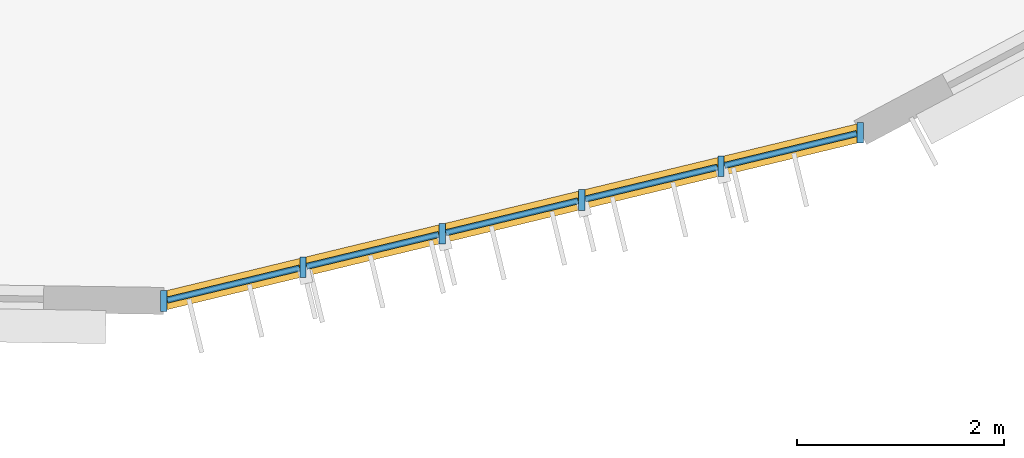
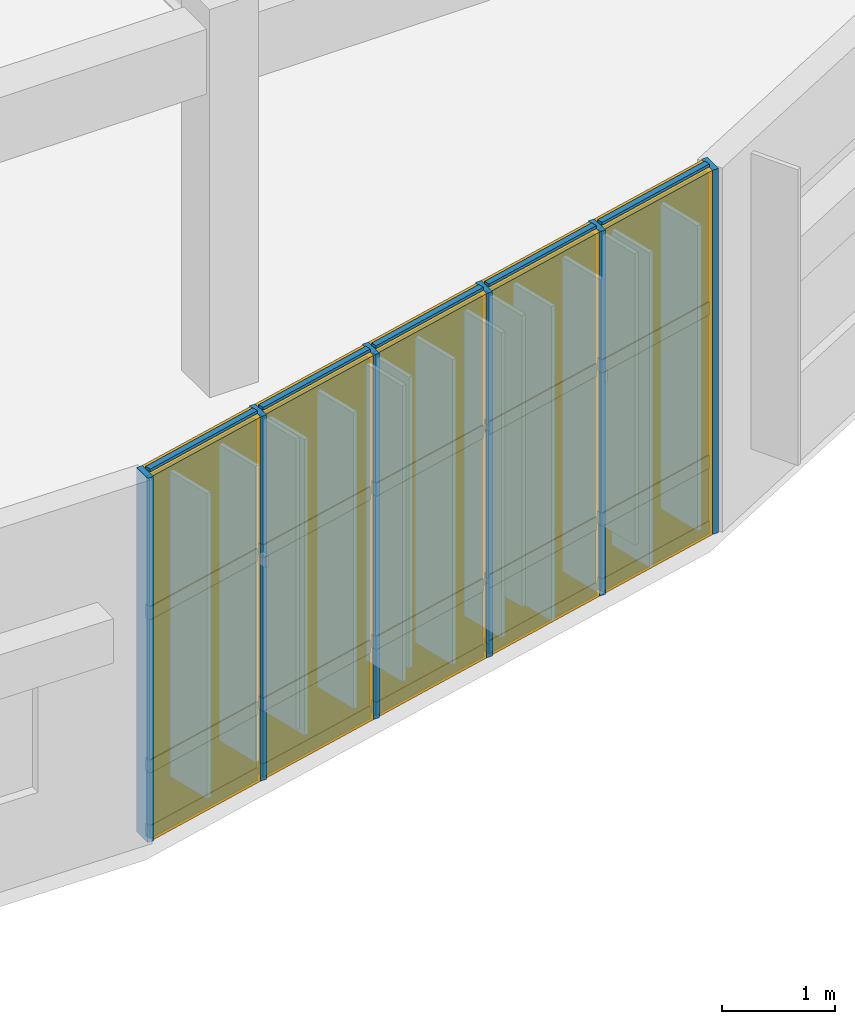
# One storey, part 98 of 122: 26 members, 15 plates, 1 curtain wall.
"""IFC4 building model written with IfcOpenShell, lengths in metres."""

from ifc_helpers import new_model, si_unit, direction, frame, frame_2d, origin, origin_2d, place, context, subcontext, project, spatial, rectangle, extrude, material, layer, layer_set, material_profile, profile_set, type_object, element, aggregate, save


model = new_model("IFC4")

# Units and contexts
model_context = context("Model", 3, precision=1e-05, world=origin(), true_north=direction((0.0, 1.0)))
body_context = subcontext(model_context, "Body", "Model", "MODEL_VIEW")
ifc_project = project(units=[si_unit("LENGTHUNIT", "METRE"), si_unit("AREAUNIT", "SQUARE_METRE"), si_unit("VOLUMEUNIT", "CUBIC_METRE"), si_unit("PLANEANGLEUNIT", "RADIAN"), si_unit("MASSUNIT", "GRAM", prefix="KILO")], contexts=[model_context])

# Member
ifc_material_1 = material(Name="Anodised Bronze Aluminium 6063-T6", Category="aluminium")
ifc_material_profile_1 = material_profile(ifc_material_1, rectangle(XDim=0.06005859375, YDim=0.199951171875, at=origin_2d()), Name="ALU MULLION 60x200")
ifc_profile_set_1 = profile_set([ifc_material_profile_1], Name="Anodised Bronze Aluminium 6063-T6")
member_type_1 = type_object("IfcMemberType", Name="Curtain-Wall Standard Mullion 60x200", PredefinedType="MULLION", material=ifc_profile_set_1)
site_placement = place(None, origin())
building_placement = place(site_placement, origin())
storey_placement = place(building_placement, frame((0.0, 0.0, 4.800048828125)))
member_1_placement = place(storey_placement, frame((138.068603515625, 17.171142578125, 0.0), z_axis=(0.0, 0.0, 1.0), x_axis=(1.0, 0.0, 0.0)))
member_1 = element("IfcMember", 1, at=member_1_placement, type_object=member_type_1, Name="Mullion CWM-03 CW-V4-DRUM-L01-S03-M01", PredefinedType="MULLION", context=body_context, shape_type="SweptSolid", body=[
    extrude(rectangle(XDim=0.06005859375, YDim=0.199951171875, at=origin_2d()), origin(), (0.0, 0.0, 1.0), 3.93994140625),
])

member_2_placement = place(storey_placement, frame((139.412109375, 17.49560546875, 0.0), z_axis=(0.0, 0.0, 1.0), x_axis=(1.0, 0.0, 0.0)))
member_2 = element("IfcMember", 2, at=member_2_placement, type_object=member_type_1, Name="Mullion CWM-03 CW-V4-DRUM-L01-S03-M02", PredefinedType="MULLION", context=body_context, shape_type="SweptSolid", body=[
    extrude(rectangle(XDim=0.06005859375, YDim=0.199951171875, at=origin_2d()), origin(), (0.0, 0.0, 1.0), 3.93994140625),
])

member_3_placement = place(storey_placement, frame((140.75537109375, 17.81982421875, 0.0), z_axis=(0.0, 0.0, 1.0), x_axis=(1.0, 0.0, 0.0)))
member_3 = element("IfcMember", 3, at=member_3_placement, type_object=member_type_1, Name="Mullion CWM-03 CW-V4-DRUM-L01-S03-M03", PredefinedType="MULLION", context=body_context, shape_type="SweptSolid", body=[
    extrude(rectangle(XDim=0.06005859375, YDim=0.199951171875, at=origin_2d()), origin(), (0.0, 0.0, 1.0), 3.93994140625),
])

member_4_placement = place(storey_placement, frame((142.098876953125, 18.144287109375, 0.0), z_axis=(0.0, 0.0, 1.0), x_axis=(1.0, 0.0, 0.0)))
member_4 = element("IfcMember", 4, at=member_4_placement, type_object=member_type_1, Name="Mullion CWM-03 CW-V4-DRUM-L01-S03-M04", PredefinedType="MULLION", context=body_context, shape_type="SweptSolid", body=[
    extrude(rectangle(XDim=0.06005859375, YDim=0.199951171875, at=origin_2d()), origin(), (0.0, 0.0, 1.0), 3.93994140625),
])

member_5_placement = place(storey_placement, frame((143.4423828125, 18.46875, 0.0), z_axis=(0.0, 0.0, 1.0), x_axis=(1.0, 0.0, 0.0)))
member_5 = element("IfcMember", 5, at=member_5_placement, type_object=member_type_1, Name="Mullion CWM-03 CW-V4-DRUM-L01-S03-M05", PredefinedType="MULLION", context=body_context, shape_type="SweptSolid", body=[
    extrude(rectangle(XDim=0.06005859375, YDim=0.199951171875, at=origin_2d()), origin(), (0.0, 0.0, 1.0), 3.93994140625),
])

member_6_placement = place(storey_placement, frame((144.785888671875, 18.793212890625, 0.0), z_axis=(0.0, 0.0, 1.0), x_axis=(1.0, 0.0, 0.0)))
member_6 = element("IfcMember", 6, at=member_6_placement, type_object=member_type_1, Name="Mullion CWM-03 CW-V4-DRUM-L01-S03-M06", PredefinedType="MULLION", context=body_context, shape_type="SweptSolid", body=[
    extrude(rectangle(XDim=0.06005859375, YDim=0.199951171875, at=origin_2d()), origin(), (0.0, 0.0, 1.0), 3.93994140625),
])

ifc_material_profile_2 = material_profile(ifc_material_1, rectangle(XDim=0.06005859375, YDim=0.139892578125, at=origin_2d()), Name="ALU TRANSOM 60x140")
ifc_profile_set_2 = profile_set([ifc_material_profile_2], Name="Anodised Bronze Aluminium 6063-T6")
member_type_2 = type_object("IfcMemberType", Name="Curtain-Wall Transom 60x140", PredefinedType="USERDEFINED", material=ifc_profile_set_2)
member_7_placement = place(storey_placement, frame((138.1025390625, 17.17919921875, 0.0400390625), z_axis=(0.97203828701, 0.234822419259, 0.0), x_axis=(-0.234822419259, 0.97203828701, 0.0)))
member_7 = element("IfcMember", 7, at=member_7_placement, type_object=member_type_2, Name="Transom CWT-01 CW-V4-DRUM-L01-S03-T01.1", ObjectType="TRANSOM", PredefinedType="USERDEFINED", context=body_context, shape_type="SweptSolid", body=[
    extrude(rectangle(XDim=0.06005859375, YDim=0.139892578125, at=origin_2d()), origin(), (0.0, 0.0, 1.0), 1.31201171875),
])

member_8_placement = place(storey_placement, frame((138.1025390625, 17.17919921875, 0.75), z_axis=(0.97203828701, 0.234822419259, 0.0), x_axis=(-0.234822419259, 0.97203828701, 0.0)))
member_8 = element("IfcMember", 8, at=member_8_placement, type_object=member_type_2, Name="Transom CWT-01 CW-V4-DRUM-L01-S03-T01.2", ObjectType="TRANSOM", PredefinedType="USERDEFINED", context=body_context, shape_type="SweptSolid", body=[
    extrude(rectangle(XDim=0.06005859375, YDim=0.139892578125, at=origin_2d()), origin(), (0.0, 0.0, 1.0), 1.31201171875),
])

member_9_placement = place(storey_placement, frame((138.1025390625, 17.17919921875, 2.40869140625), z_axis=(0.97203828701, 0.234822419259, 0.0), x_axis=(-0.234822419259, 0.97203828701, 0.0)))
member_9 = element("IfcMember", 9, at=member_9_placement, type_object=member_type_2, Name="Transom CWT-01 CW-V4-DRUM-L01-S03-T01.3", ObjectType="TRANSOM", PredefinedType="USERDEFINED", context=body_context, shape_type="SweptSolid", body=[
    extrude(rectangle(XDim=0.06005859375, YDim=0.139892578125, at=origin_2d()), origin(), (0.0, 0.0, 1.0), 1.31201171875),
])

member_10_placement = place(storey_placement, frame((138.1025390625, 17.17919921875, 3.89990234375), z_axis=(0.97203828701, 0.234822419259, 0.0), x_axis=(-0.234822419259, 0.97203828701, 0.0)))
member_10 = element("IfcMember", 10, at=member_10_placement, type_object=member_type_2, Name="Transom CWT-01 CW-V4-DRUM-L01-S03-T01.4", ObjectType="TRANSOM", PredefinedType="USERDEFINED", context=body_context, shape_type="SweptSolid", body=[
    extrude(rectangle(XDim=0.06005859375, YDim=0.139892578125, at=origin_2d()), origin(), (0.0, 0.0, 1.0), 1.31201171875),
])

member_11_placement = place(storey_placement, frame((139.446044921875, 17.503662109375, 0.0400390625), z_axis=(0.97203828701, 0.234822419259, 0.0), x_axis=(-0.234822419259, 0.97203828701, 0.0)))
member_11 = element("IfcMember", 11, at=member_11_placement, type_object=member_type_2, Name="Transom CWT-01 CW-V4-DRUM-L01-S03-T02.1", ObjectType="TRANSOM", PredefinedType="USERDEFINED", context=body_context, shape_type="SweptSolid", body=[
    extrude(rectangle(XDim=0.06005859375, YDim=0.139892578125, at=origin_2d()), origin(), (0.0, 0.0, 1.0), 1.31201171875),
])

member_12_placement = place(storey_placement, frame((139.446044921875, 17.503662109375, 0.75), z_axis=(0.97203828701, 0.234822419259, 0.0), x_axis=(-0.234822419259, 0.97203828701, 0.0)))
member_12 = element("IfcMember", 12, at=member_12_placement, type_object=member_type_2, Name="Transom CWT-01 CW-V4-DRUM-L01-S03-T02.2", ObjectType="TRANSOM", PredefinedType="USERDEFINED", context=body_context, shape_type="SweptSolid", body=[
    extrude(rectangle(XDim=0.06005859375, YDim=0.139892578125, at=origin_2d()), origin(), (0.0, 0.0, 1.0), 1.31201171875),
])

member_13_placement = place(storey_placement, frame((139.446044921875, 17.503662109375, 2.40869140625), z_axis=(0.97203828701, 0.234822419259, 0.0), x_axis=(-0.234822419259, 0.97203828701, 0.0)))
member_13 = element("IfcMember", 13, at=member_13_placement, type_object=member_type_2, Name="Transom CWT-01 CW-V4-DRUM-L01-S03-T02.3", ObjectType="TRANSOM", PredefinedType="USERDEFINED", context=body_context, shape_type="SweptSolid", body=[
    extrude(rectangle(XDim=0.06005859375, YDim=0.139892578125, at=origin_2d()), origin(), (0.0, 0.0, 1.0), 1.31201171875),
])

member_14_placement = place(storey_placement, frame((139.446044921875, 17.503662109375, 3.89990234375), z_axis=(0.97203828701, 0.234822419259, 0.0), x_axis=(-0.234822419259, 0.97203828701, 0.0)))
member_14 = element("IfcMember", 14, at=member_14_placement, type_object=member_type_2, Name="Transom CWT-01 CW-V4-DRUM-L01-S03-T02.4", ObjectType="TRANSOM", PredefinedType="USERDEFINED", context=body_context, shape_type="SweptSolid", body=[
    extrude(rectangle(XDim=0.06005859375, YDim=0.139892578125, at=origin_2d()), origin(), (0.0, 0.0, 1.0), 1.31201171875),
])

member_15_placement = place(storey_placement, frame((140.789306640625, 17.828125, 0.0400390625), z_axis=(0.972090987597, 0.234604159878, 0.0), x_axis=(-0.234604159878, 0.972090987597, 0.0)))
member_15 = element("IfcMember", 15, at=member_15_placement, type_object=member_type_2, Name="Transom CWT-01 CW-V4-DRUM-L01-S03-T03.1", ObjectType="TRANSOM", PredefinedType="USERDEFINED", context=body_context, shape_type="SweptSolid", body=[
    extrude(rectangle(XDim=0.06005859375, YDim=0.139892578125, at=origin_2d()), origin(), (0.0, 0.0, 1.0), 1.312255859375),
])

member_16_placement = place(storey_placement, frame((140.789306640625, 17.828125, 0.75), z_axis=(0.972090987597, 0.234604159878, 0.0), x_axis=(-0.234604159878, 0.972090987597, 0.0)))
member_16 = element("IfcMember", 16, at=member_16_placement, type_object=member_type_2, Name="Transom CWT-01 CW-V4-DRUM-L01-S03-T03.2", ObjectType="TRANSOM", PredefinedType="USERDEFINED", context=body_context, shape_type="SweptSolid", body=[
    extrude(rectangle(XDim=0.06005859375, YDim=0.139892578125, at=origin_2d()), origin(), (0.0, 0.0, 1.0), 1.312255859375),
])

member_17_placement = place(storey_placement, frame((140.789306640625, 17.828125, 2.40869140625), z_axis=(0.972090987597, 0.234604159878, 0.0), x_axis=(-0.234604159878, 0.972090987597, 0.0)))
member_17 = element("IfcMember", 17, at=member_17_placement, type_object=member_type_2, Name="Transom CWT-01 CW-V4-DRUM-L01-S03-T03.3", ObjectType="TRANSOM", PredefinedType="USERDEFINED", context=body_context, shape_type="SweptSolid", body=[
    extrude(rectangle(XDim=0.06005859375, YDim=0.139892578125, at=origin_2d()), origin(), (0.0, 0.0, 1.0), 1.312255859375),
])

member_18_placement = place(storey_placement, frame((140.789306640625, 17.828125, 3.89990234375), z_axis=(0.972090987597, 0.234604159878, 0.0), x_axis=(-0.234604159878, 0.972090987597, 0.0)))
member_18 = element("IfcMember", 18, at=member_18_placement, type_object=member_type_2, Name="Transom CWT-01 CW-V4-DRUM-L01-S03-T03.4", ObjectType="TRANSOM", PredefinedType="USERDEFINED", context=body_context, shape_type="SweptSolid", body=[
    extrude(rectangle(XDim=0.06005859375, YDim=0.139892578125, at=origin_2d()), origin(), (0.0, 0.0, 1.0), 1.312255859375),
])

member_19_placement = place(storey_placement, frame((142.1328125, 18.152587890625, 0.0400390625), z_axis=(0.972080745006, 0.234646596373, 0.0), x_axis=(-0.234646596373, 0.972080745006, 0.0)))
member_19 = element("IfcMember", 19, at=member_19_placement, type_object=member_type_2, Name="Transom CWT-01 CW-V4-DRUM-L01-S03-T04.1", ObjectType="TRANSOM", PredefinedType="USERDEFINED", context=body_context, shape_type="SweptSolid", body=[
    extrude(rectangle(XDim=0.06005859375, YDim=0.139892578125, at=origin_2d()), origin(), (0.0, 0.0, 1.0), 1.31201171875),
])

member_20_placement = place(storey_placement, frame((142.1328125, 18.152587890625, 0.75), z_axis=(0.972080745006, 0.234646596373, 0.0), x_axis=(-0.234646596373, 0.972080745006, 0.0)))
member_20 = element("IfcMember", 20, at=member_20_placement, type_object=member_type_2, Name="Transom CWT-01 CW-V4-DRUM-L01-S03-T04.2", ObjectType="TRANSOM", PredefinedType="USERDEFINED", context=body_context, shape_type="SweptSolid", body=[
    extrude(rectangle(XDim=0.06005859375, YDim=0.139892578125, at=origin_2d()), origin(), (0.0, 0.0, 1.0), 1.31201171875),
])

member_21_placement = place(storey_placement, frame((142.1328125, 18.152587890625, 2.40869140625), z_axis=(0.972080745006, 0.234646596373, 0.0), x_axis=(-0.234646596373, 0.972080745006, 0.0)))
member_21 = element("IfcMember", 21, at=member_21_placement, type_object=member_type_2, Name="Transom CWT-01 CW-V4-DRUM-L01-S03-T04.3", ObjectType="TRANSOM", PredefinedType="USERDEFINED", context=body_context, shape_type="SweptSolid", body=[
    extrude(rectangle(XDim=0.06005859375, YDim=0.139892578125, at=origin_2d()), origin(), (0.0, 0.0, 1.0), 1.31201171875),
])

member_22_placement = place(storey_placement, frame((142.1328125, 18.152587890625, 3.89990234375), z_axis=(0.972080745006, 0.234646596373, 0.0), x_axis=(-0.234646596373, 0.972080745006, 0.0)))
member_22 = element("IfcMember", 22, at=member_22_placement, type_object=member_type_2, Name="Transom CWT-01 CW-V4-DRUM-L01-S03-T04.4", ObjectType="TRANSOM", PredefinedType="USERDEFINED", context=body_context, shape_type="SweptSolid", body=[
    extrude(rectangle(XDim=0.06005859375, YDim=0.139892578125, at=origin_2d()), origin(), (0.0, 0.0, 1.0), 1.31201171875),
])

member_23_placement = place(storey_placement, frame((143.476318359375, 18.476806640625, 0.0400390625), z_axis=(0.97203828701, 0.234822419259, 0.0), x_axis=(-0.234822419259, 0.97203828701, 0.0)))
member_23 = element("IfcMember", 23, at=member_23_placement, type_object=member_type_2, Name="Transom CWT-01 CW-V4-DRUM-L01-S03-T05.1", ObjectType="TRANSOM", PredefinedType="USERDEFINED", context=body_context, shape_type="SweptSolid", body=[
    extrude(rectangle(XDim=0.06005859375, YDim=0.139892578125, at=origin_2d()), origin(), (0.0, 0.0, 1.0), 1.31201171875),
])

member_24_placement = place(storey_placement, frame((143.476318359375, 18.476806640625, 0.75), z_axis=(0.97203828701, 0.234822419259, 0.0), x_axis=(-0.234822419259, 0.97203828701, 0.0)))
member_24 = element("IfcMember", 24, at=member_24_placement, type_object=member_type_2, Name="Transom CWT-01 CW-V4-DRUM-L01-S03-T05.2", ObjectType="TRANSOM", PredefinedType="USERDEFINED", context=body_context, shape_type="SweptSolid", body=[
    extrude(rectangle(XDim=0.06005859375, YDim=0.139892578125, at=origin_2d()), origin(), (0.0, 0.0, 1.0), 1.31201171875),
])

member_25_placement = place(storey_placement, frame((143.476318359375, 18.476806640625, 2.40869140625), z_axis=(0.97203828701, 0.234822419259, 0.0), x_axis=(-0.234822419259, 0.97203828701, 0.0)))
member_25 = element("IfcMember", 25, at=member_25_placement, type_object=member_type_2, Name="Transom CWT-01 CW-V4-DRUM-L01-S03-T05.3", ObjectType="TRANSOM", PredefinedType="USERDEFINED", context=body_context, shape_type="SweptSolid", body=[
    extrude(rectangle(XDim=0.06005859375, YDim=0.139892578125, at=origin_2d()), origin(), (0.0, 0.0, 1.0), 1.31201171875),
])

member_26_placement = place(storey_placement, frame((143.476318359375, 18.476806640625, 3.89990234375), z_axis=(0.97203828701, 0.234822419259, 0.0), x_axis=(-0.234822419259, 0.97203828701, 0.0)))
member_26 = element("IfcMember", 26, at=member_26_placement, type_object=member_type_2, Name="Transom CWT-01 CW-V4-DRUM-L01-S03-T05.4", ObjectType="TRANSOM", PredefinedType="USERDEFINED", context=body_context, shape_type="SweptSolid", body=[
    extrude(rectangle(XDim=0.06005859375, YDim=0.139892578125, at=origin_2d()), origin(), (0.0, 0.0, 1.0), 1.31201171875),
])

# Plate
ifc_material_2 = material(Name="Insulated Bronze Aluminium Spandrel Panel", Category="aluminium")
ifc_layer_1 = layer(ifc_material_2, 0.050048828125, Name="Insulated Bronze Aluminium Spandrel Panel")
ifc_layer_set_1 = layer_set([ifc_layer_1], Name="Insulated Bronze Aluminium Spandrel Panel")
plate_type_1 = type_object("IfcPlateType", Name="Insulated Anodised Aluminium Spandrel Cassette 50", PredefinedType="CURTAIN_PANEL", material=ifc_layer_set_1)
plate_1_placement = place(storey_placement, frame((138.740234375, 17.333251953125, 0.070068359375), z_axis=(0.0, 0.0, 1.0), x_axis=(0.972063098492, 0.234719689311, 0.0)))
plate_1 = element("IfcPlate", 27, at=plate_1_placement, type_object=plate_type_1, Name="Curtain Panel CWP-03 CW-V4-DRUM-L01-S03-P01.1", PredefinedType="CURTAIN_PANEL", context=body_context, shape_type="SweptSolid", body=[
    extrude(rectangle(XDim=1.31201171875, YDim=0.050048828125, at=origin_2d()), origin(), (0.0, 0.0, 1.0), 0.64990234375),
])

plate_2_placement = place(storey_placement, frame((140.083740234375, 17.65771484375, 0.070068359375), z_axis=(0.0, 0.0, 1.0), x_axis=(0.972063098492, 0.234719689311, 0.0)))
plate_2 = element("IfcPlate", 28, at=plate_2_placement, type_object=plate_type_1, Name="Curtain Panel CWP-03 CW-V4-DRUM-L01-S03-P02.1", PredefinedType="CURTAIN_PANEL", context=body_context, shape_type="SweptSolid", body=[
    extrude(rectangle(XDim=1.31201171875, YDim=0.050048828125, at=origin_2d()), origin(), (0.0, 0.0, 1.0), 0.64990234375),
])

plate_3_placement = place(storey_placement, frame((141.427001953125, 17.982177734375, 0.070068359375), z_axis=(0.0, 0.0, 1.0), x_axis=(0.972063098492, 0.234719689311, 0.0)))
plate_3 = element("IfcPlate", 29, at=plate_3_placement, type_object=plate_type_1, Name="Curtain Panel CWP-03 CW-V4-DRUM-L01-S03-P03.1", PredefinedType="CURTAIN_PANEL", context=body_context, shape_type="SweptSolid", body=[
    extrude(rectangle(XDim=1.31201171875, YDim=0.050048828125, at=origin_2d()), origin(), (0.0, 0.0, 1.0), 0.64990234375),
])

plate_4_placement = place(storey_placement, frame((142.7705078125, 18.306396484375, 0.070068359375), z_axis=(0.0, 0.0, 1.0), x_axis=(0.972063098492, 0.234719689311, 0.0)))
plate_4 = element("IfcPlate", 30, at=plate_4_placement, type_object=plate_type_1, Name="Curtain Panel CWP-03 CW-V4-DRUM-L01-S03-P04.1", PredefinedType="CURTAIN_PANEL", context=body_context, shape_type="SweptSolid", body=[
    extrude(rectangle(XDim=1.31201171875, YDim=0.050048828125, at=origin_2d()), origin(), (0.0, 0.0, 1.0), 0.64990234375),
])

plate_5_placement = place(storey_placement, frame((144.114013671875, 18.630859375, 0.070068359375), z_axis=(0.0, 0.0, 1.0), x_axis=(0.972063098492, 0.234719689311, 0.0)))
plate_5 = element("IfcPlate", 31, at=plate_5_placement, type_object=plate_type_1, Name="Curtain Panel CWP-03 CW-V4-DRUM-L01-S03-P05.1", PredefinedType="CURTAIN_PANEL", context=body_context, shape_type="SweptSolid", body=[
    extrude(rectangle(XDim=1.31201171875, YDim=0.050048828125, at=origin_2d()), origin(), (0.0, 0.0, 1.0), 0.64990234375),
])

ifc_material_3 = material(Name="Solar-Control Tempered Double Glazing", Category="glass")
ifc_layer_2 = layer(ifc_material_3, 0.0380859375, Name="Solar-Control Tempered Double Glazing")
ifc_layer_set_2 = layer_set([ifc_layer_2], Name="Solar-Control Tempered Double Glazing")
plate_type_2 = type_object("IfcPlateType", Name="Solar-Control Vision Glazing Unit 38", PredefinedType="CURTAIN_PANEL", material=ifc_layer_set_2)
plate_6_placement = place(storey_placement, frame((138.740234375, 17.333251953125, 0.77978515625), z_axis=(0.0, 0.0, 1.0), x_axis=(0.972063098492, 0.234719689311, 0.0)))
plate_6 = element("IfcPlate", 32, at=plate_6_placement, type_object=plate_type_2, Name="Curtain Panel CWP-02 CW-V4-DRUM-L01-S03-P01.2", PredefinedType="CURTAIN_PANEL", context=body_context, shape_type="SweptSolid", body=[
    extrude(rectangle(XDim=1.31201171875, YDim=0.0380859375, at=origin_2d()), origin(), (0.0, 0.0, 1.0), 1.598876953125),
])

plate_7_placement = place(storey_placement, frame((138.740234375, 17.333251953125, 2.438720703125), z_axis=(0.0, 0.0, 1.0), x_axis=(0.972063098492, 0.234719689311, 0.0)))
plate_7 = element("IfcPlate", 33, at=plate_7_placement, type_object=plate_type_2, Name="Curtain Panel CWP-02 CW-V4-DRUM-L01-S03-P01.3", PredefinedType="CURTAIN_PANEL", context=body_context, shape_type="SweptSolid", body=[
    extrude(rectangle(XDim=1.31201171875, YDim=0.0380859375, at=origin_2d()), origin(), (0.0, 0.0, 1.0), 1.43115234375),
])

plate_8_placement = place(storey_placement, frame((140.083740234375, 17.65771484375, 0.77978515625), z_axis=(0.0, 0.0, 1.0), x_axis=(0.972063098492, 0.234719689311, 0.0)))
plate_8 = element("IfcPlate", 34, at=plate_8_placement, type_object=plate_type_2, Name="Curtain Panel CWP-02 CW-V4-DRUM-L01-S03-P02.2", PredefinedType="CURTAIN_PANEL", context=body_context, shape_type="SweptSolid", body=[
    extrude(rectangle(XDim=1.31201171875, YDim=0.0380859375, at=origin_2d()), origin(), (0.0, 0.0, 1.0), 1.598876953125),
])

plate_9_placement = place(storey_placement, frame((140.083740234375, 17.65771484375, 2.438720703125), z_axis=(0.0, 0.0, 1.0), x_axis=(0.972063098492, 0.234719689311, 0.0)))
plate_9 = element("IfcPlate", 35, at=plate_9_placement, type_object=plate_type_2, Name="Curtain Panel CWP-02 CW-V4-DRUM-L01-S03-P02.3", PredefinedType="CURTAIN_PANEL", context=body_context, shape_type="SweptSolid", body=[
    extrude(rectangle(XDim=1.31201171875, YDim=0.0380859375, at=origin_2d()), origin(), (0.0, 0.0, 1.0), 1.43115234375),
])

plate_10_placement = place(storey_placement, frame((141.427001953125, 17.982177734375, 0.77978515625), z_axis=(0.0, 0.0, 1.0), x_axis=(0.972063098492, 0.234719689311, 0.0)))
plate_10 = element("IfcPlate", 36, at=plate_10_placement, type_object=plate_type_2, Name="Curtain Panel CWP-02 CW-V4-DRUM-L01-S03-P03.2", PredefinedType="CURTAIN_PANEL", context=body_context, shape_type="SweptSolid", body=[
    extrude(rectangle(XDim=1.31201171875, YDim=0.0380859375, at=origin_2d()), origin(), (0.0, 0.0, 1.0), 1.598876953125),
])

plate_11_placement = place(storey_placement, frame((141.427001953125, 17.982177734375, 2.438720703125), z_axis=(0.0, 0.0, 1.0), x_axis=(0.972063098492, 0.234719689311, 0.0)))
plate_11 = element("IfcPlate", 37, at=plate_11_placement, type_object=plate_type_2, Name="Curtain Panel CWP-02 CW-V4-DRUM-L01-S03-P03.3", PredefinedType="CURTAIN_PANEL", context=body_context, shape_type="SweptSolid", body=[
    extrude(rectangle(XDim=1.31201171875, YDim=0.0380859375, at=origin_2d()), origin(), (0.0, 0.0, 1.0), 1.43115234375),
])

plate_12_placement = place(storey_placement, frame((142.7705078125, 18.306396484375, 0.77978515625), z_axis=(0.0, 0.0, 1.0), x_axis=(0.972063098492, 0.234719689311, 0.0)))
plate_12 = element("IfcPlate", 38, at=plate_12_placement, type_object=plate_type_2, Name="Curtain Panel CWP-02 CW-V4-DRUM-L01-S03-P04.2", PredefinedType="CURTAIN_PANEL", context=body_context, shape_type="SweptSolid", body=[
    extrude(rectangle(XDim=1.31201171875, YDim=0.0380859375, at=origin_2d()), origin(), (0.0, 0.0, 1.0), 1.598876953125),
])

plate_13_placement = place(storey_placement, frame((142.7705078125, 18.306396484375, 2.438720703125), z_axis=(0.0, 0.0, 1.0), x_axis=(0.972063098492, 0.234719689311, 0.0)))
plate_13 = element("IfcPlate", 39, at=plate_13_placement, type_object=plate_type_2, Name="Curtain Panel CWP-02 CW-V4-DRUM-L01-S03-P04.3", PredefinedType="CURTAIN_PANEL", context=body_context, shape_type="SweptSolid", body=[
    extrude(rectangle(XDim=1.31201171875, YDim=0.0380859375, at=origin_2d()), origin(), (0.0, 0.0, 1.0), 1.43115234375),
])

plate_14_placement = place(storey_placement, frame((144.114013671875, 18.630859375, 0.77978515625), z_axis=(0.0, 0.0, 1.0), x_axis=(0.972063098492, 0.234719689311, 0.0)))
plate_14 = element("IfcPlate", 40, at=plate_14_placement, type_object=plate_type_2, Name="Curtain Panel CWP-02 CW-V4-DRUM-L01-S03-P05.2", PredefinedType="CURTAIN_PANEL", context=body_context, shape_type="SweptSolid", body=[
    extrude(rectangle(XDim=1.31201171875, YDim=0.0380859375, at=origin_2d()), origin(), (0.0, 0.0, 1.0), 1.598876953125),
])

plate_15_placement = place(storey_placement, frame((144.114013671875, 18.630859375, 2.438720703125), z_axis=(0.0, 0.0, 1.0), x_axis=(0.972063098492, 0.234719689311, 0.0)))
plate_15 = element("IfcPlate", 41, at=plate_15_placement, type_object=plate_type_2, Name="Curtain Panel CWP-02 CW-V4-DRUM-L01-S03-P05.3", PredefinedType="CURTAIN_PANEL", context=body_context, shape_type="SweptSolid", body=[
    extrude(rectangle(XDim=1.31201171875, YDim=0.0380859375, at=origin_2d()), origin(), (0.0, 0.0, 1.0), 1.43115234375),
])

# Site, building, storey
site = spatial("IfcSite", under=ifc_project, at=site_placement, CompositionType="ELEMENT")
building = spatial("IfcBuilding", under=site, at=building_placement, Name="Tazoul Stagehouse", CompositionType="ELEMENT")
storey = spatial("IfcBuildingStorey", under=building, at=storey_placement, Name="L01", CompositionType="ELEMENT", Elevation=4.800048828125)

# Curtain wall
curtain_wall_type = type_object("IfcCurtainWallType", Name="Studio Drum Faceted Curtain Wall", PredefinedType="NOTDEFINED", material=ifc_material_1)
curtain_wall_placement = place(storey_placement, frame((138.068603515625, 17.171142578125, 0.0), z_axis=(0.0, 0.0, 1.0), x_axis=(0.972060530269, 0.234730325038, 0.0)))
curtain_wall = element("IfcCurtainWall", 42, at=curtain_wall_placement, inside=storey, type_object=curtain_wall_type, Name="L01 Curtain Wall CW-03 (CW-V4-DRUM-L01-S03)", PredefinedType="NOTDEFINED", context=body_context, shape_type="SweptSolid", body=[
    extrude(rectangle(XDim=6.910400390625, YDim=0.179931640625, at=frame_2d((3.455078125, 0.0))), origin(), (0.0, 0.0, 1.0), 3.93994140625),
])

aggregate(curtain_wall, [member_1, member_2, member_3, member_4, member_5, member_6, member_7, member_8, member_9, member_10, plate_1, plate_6, plate_7, member_11, member_12, member_13, member_14, plate_2, plate_8, plate_9, member_15, member_16, member_17, member_18, plate_3, plate_10, plate_11, member_19, member_20, member_21, member_22, plate_4, plate_12, plate_13, member_23, member_24, member_25, member_26, plate_5, plate_14, plate_15])

save(model, "model.ifc")
